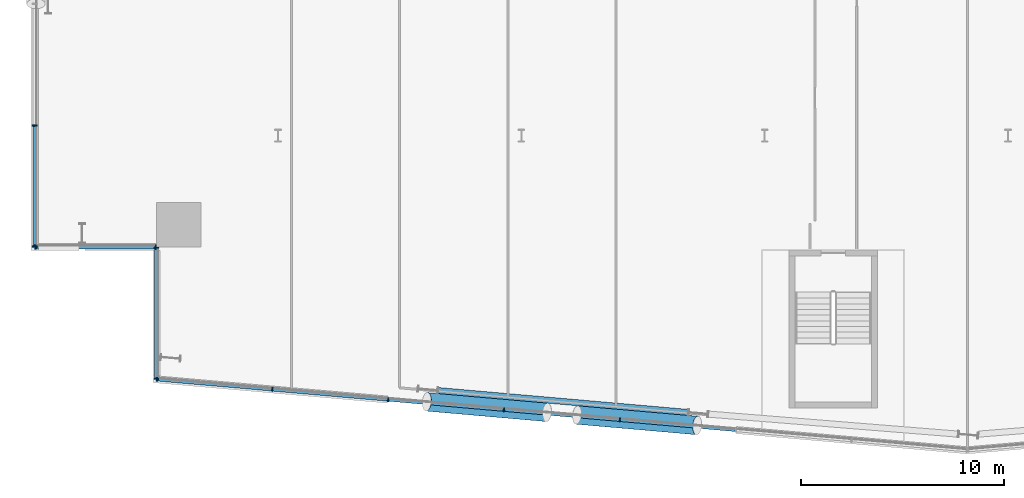
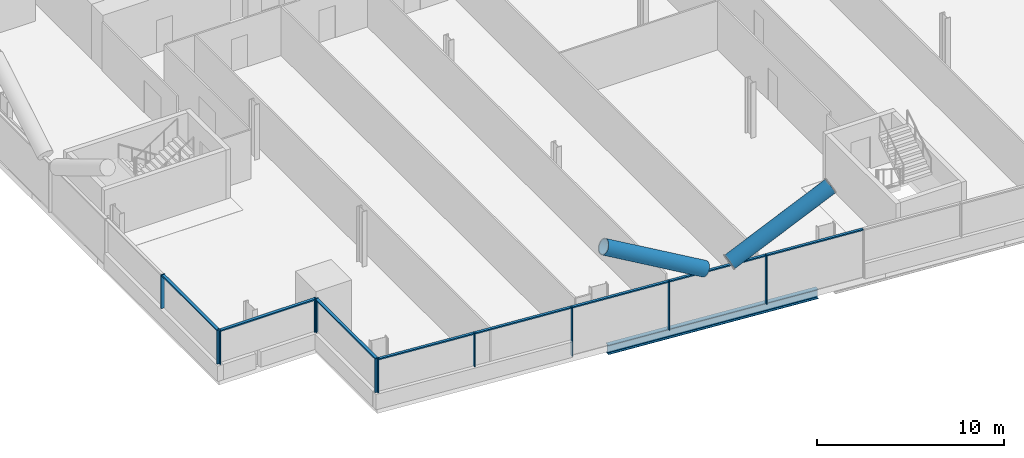
# One storey, part 4 of 25: 21 members, 1 beam, 4 elements without a shape of their own.
"""IFC4 building model written with IfcOpenShell, lengths in metres."""

from ifc_helpers import new_model, si_unit, direction, frame, origin, origin_2d, place, context, subcontext, project, spatial, rectangle, hollow_circle, i_section, extrude, material, material_profile, profile_set, type_object, element, aggregate, save


model = new_model("IFC4")

# Units and contexts
model_context = context("Model", 3, precision=1e-05, world=origin(), true_north=direction((0.0, 1.0)))
body_context = subcontext(model_context, "Body", "Model", "MODEL_VIEW")
ifc_project = project(units=[si_unit("LENGTHUNIT", "METRE"), si_unit("AREAUNIT", "SQUARE_METRE"), si_unit("VOLUMEUNIT", "CUBIC_METRE"), si_unit("PLANEANGLEUNIT", "RADIAN"), si_unit("MASSUNIT", "GRAM", prefix="KILO")], contexts=[model_context])

# Site, building, storey
site_placement = place(None, origin())
site = spatial("IfcSite", under=ifc_project, at=site_placement, CompositionType="ELEMENT")
building_placement = place(site_placement, origin())
building = spatial("IfcBuilding", under=site, at=building_placement, Name="Wharfspan Tower", CompositionType="ELEMENT")
storey_placement = place(building_placement, frame((0.0, 0.0, 63.100098)))
storey = spatial("IfcBuildingStorey", under=building, at=storey_placement, Name="L12", CompositionType="ELEMENT", Elevation=63.100098)

# Beam
ifc_material_1 = material(Name="Steel S355J2", Category="steel")
ifc_material_profile_1 = material_profile(ifc_material_1, i_section(OverallWidth=0.300049, OverallDepth=0.600098, WebThickness=0.015381, FlangeThickness=0.030029, FilletRadius=0.0271, at=origin_2d()))
ifc_profile_set_1 = profile_set([ifc_material_profile_1], Name="Steel S355J2")
beam_type = type_object("IfcBeamType", Name="Edge beam HEB 600", PredefinedType="SPANDREL", material=ifc_profile_set_1)
beam_placement = place(storey_placement, frame((19.888916, -1.077637, -0.700195), z_axis=(0.996195, -0.087154, 0.0), x_axis=(0.087154, 0.996195, 0.0)))
element("IfcBeam", 1, at=beam_placement, inside=storey, type_object=beam_type, Name="Edge beam S1 L12 PS1.2 to PS1.3", PredefinedType="SPANDREL", context=body_context, shape_type="SweptSolid", body=[
    extrude(i_section(OverallWidth=0.300049, OverallDepth=0.600098, WebThickness=0.015381, FlangeThickness=0.030029, FilletRadius=0.0271, at=origin_2d()), origin(), (0.0, 0.0, 1.0), 12.384277),
])

# Curtain wall, members
ifc_material_2 = material(Name="Aluminium 6063-T6", Category="aluminium")
curtain_wall_type_1 = type_object("IfcCurtainWallType", Name="CURTAIN WALL FACETED FRONT", PredefinedType="NOTDEFINED", material=ifc_material_2)
curtain_wall_1_placement = place(storey_placement, origin())
curtain_wall_1 = element("IfcCurtainWall", 2, at=curtain_wall_1_placement, inside=storey, type_object=curtain_wall_type_1, Name="Curtain wall S1", PredefinedType="NOTDEFINED")
ifc_material_profile_2 = material_profile(ifc_material_2, rectangle(XDim=0.199951, YDim=0.060059, at=origin_2d()))
ifc_profile_set_2 = profile_set([ifc_material_profile_2], Name="Aluminium 6063-T6")
member_type_1 = type_object("IfcMemberType", Name="MULLION FACETED FRONT 60x200", PredefinedType="MULLION", material=ifc_profile_set_2)
member_1_placement = place(storey_placement, frame((6.029785, -0.527588, 1.0), z_axis=(0.0, 0.0, 1.0), x_axis=(0.087156, 0.996197, 0.0)))
member_1 = element("IfcMember", 3, at=member_1_placement, type_object=member_type_1, Name="Curtain wall S1 mullion 1", PredefinedType="MULLION", context=body_context, shape_type="SweptSolid", body=[
    extrude(rectangle(XDim=0.199951, YDim=0.060059, at=origin_2d()), origin(), (0.0, 0.0, 1.0), 2.199951),
])
member_2_placement = place(storey_placement, frame((11.714355, -1.024902, 1.0), z_axis=(0.0, 0.0, 1.0), x_axis=(0.087156, 0.996197, 0.0)))
member_2 = element("IfcMember", 4, at=member_2_placement, type_object=member_type_1, Name="Curtain wall S1 mullion 2", PredefinedType="MULLION", context=body_context, shape_type="SweptSolid", body=[
    extrude(rectangle(XDim=0.199951, YDim=0.060059, at=origin_2d()), origin(), (0.0, 0.0, 1.0), 2.199951),
])
member_3_placement = place(storey_placement, frame((17.428467, -1.524902, 0.0), z_axis=(0.0, 0.0, 1.0), x_axis=(0.087156, 0.996197, 0.0)))
member_3 = element("IfcMember", 5, at=member_3_placement, type_object=member_type_1, Name="Curtain wall S1 mullion 3", PredefinedType="MULLION", context=body_context, shape_type="SweptSolid", body=[
    extrude(rectangle(XDim=0.199951, YDim=0.060059, at=origin_2d()), origin(), (0.0, 0.0, 1.0), 3.199951),
])
member_4_placement = place(storey_placement, frame((23.142822, -2.024658, 0.0), z_axis=(0.0, 0.0, 1.0), x_axis=(0.087156, 0.996197, 0.0)))
member_4 = element("IfcMember", 6, at=member_4_placement, type_object=member_type_1, Name="Curtain wall S1 mullion 4", PredefinedType="MULLION", context=body_context, shape_type="SweptSolid", body=[
    extrude(rectangle(XDim=0.199951, YDim=0.060059, at=origin_2d()), origin(), (0.0, 0.0, 1.0), 3.199951),
])
member_5_placement = place(storey_placement, frame((28.857178, -2.524658, 0.0), z_axis=(0.0, 0.0, 1.0), x_axis=(0.087156, 0.996197, 0.0)))
member_5 = element("IfcMember", 7, at=member_5_placement, type_object=member_type_1, Name="Curtain wall S1 mullion 5", PredefinedType="MULLION", context=body_context, shape_type="SweptSolid", body=[
    extrude(rectangle(XDim=0.199951, YDim=0.060059, at=origin_2d()), origin(), (0.0, 0.0, 1.0), 3.199951),
])

curtain_wall_type_2 = type_object("IfcCurtainWallType", Name="CURTAIN WALL PROW AND END", PredefinedType="NOTDEFINED", material=ifc_material_2)
curtain_wall_2_placement = place(storey_placement, origin())
curtain_wall_2 = element("IfcCurtainWall", 8, at=curtain_wall_2_placement, inside=storey, type_object=curtain_wall_type_2, Name="Curtain wall W", PredefinedType="NOTDEFINED")
ifc_material_profile_3 = material_profile(ifc_material_2, rectangle(XDim=0.23999, YDim=0.060059, at=origin_2d()))
ifc_profile_set_3 = profile_set([ifc_material_profile_3], Name="Aluminium 6063-T6")
member_type_2 = type_object("IfcMemberType", Name="MULLION PROW AND END 60x240", PredefinedType="MULLION", material=ifc_profile_set_3)
member_6_placement = place(storey_placement, frame((0.0, 12.0, 1.0), z_axis=(0.0, 0.0, 1.0), x_axis=(1.0, 0.0, 0.0)))
member_6 = element("IfcMember", 9, at=member_6_placement, type_object=member_type_2, Name="Curtain wall W mullion 6", PredefinedType="MULLION", context=body_context, shape_type="SweptSolid", body=[
    extrude(rectangle(XDim=0.23999, YDim=0.060059, at=origin_2d()), origin(), (0.0, 0.0, 1.0), 2.199951),
])
member_7_placement = place(storey_placement, frame((0.0, 6.030029, 1.0), z_axis=(0.0, 0.0, 1.0), x_axis=(1.0, 0.0, 0.0)))
member_7 = element("IfcMember", 10, at=member_7_placement, type_object=member_type_2, Name="Curtain wall W mullion 7", PredefinedType="MULLION", context=body_context, shape_type="SweptSolid", body=[
    extrude(rectangle(XDim=0.23999, YDim=0.060059, at=origin_2d()), origin(), (0.0, 0.0, 1.0), 2.199951),
])

curtain_wall_3_placement = place(storey_placement, origin())
curtain_wall_3 = element("IfcCurtainWall", 11, at=curtain_wall_3_placement, inside=storey, type_object=curtain_wall_type_2, Name="Curtain wall NFW-H", PredefinedType="NOTDEFINED")
member_8_placement = place(storey_placement, frame((0.030029, 6.0, 1.0), z_axis=(0.0, 0.0, 1.0), x_axis=(0.0, 1.0, 0.0)))
member_8 = element("IfcMember", 12, at=member_8_placement, type_object=member_type_2, Name="Curtain wall NFW-H mullion 1", PredefinedType="MULLION", context=body_context, shape_type="SweptSolid", body=[
    extrude(rectangle(XDim=0.23999, YDim=0.060059, at=origin_2d()), origin(), (0.0, 0.0, 1.0), 2.199951),
])
member_9_placement = place(storey_placement, frame((5.969971, 6.0, 1.0), z_axis=(0.0, 0.0, 1.0), x_axis=(0.0, 1.0, 0.0)))
member_9 = element("IfcMember", 13, at=member_9_placement, type_object=member_type_2, Name="Curtain wall NFW-H mullion 2", PredefinedType="MULLION", context=body_context, shape_type="SweptSolid", body=[
    extrude(rectangle(XDim=0.23999, YDim=0.060059, at=origin_2d()), origin(), (0.0, 0.0, 1.0), 2.199951),
])

curtain_wall_4_placement = place(storey_placement, origin())
curtain_wall_4 = element("IfcCurtainWall", 14, at=curtain_wall_4_placement, inside=storey, type_object=curtain_wall_type_2, Name="Curtain wall NFW-V", PredefinedType="NOTDEFINED")
member_10_placement = place(storey_placement, frame((6.0, 5.969971, 1.0), z_axis=(0.0, 0.0, 1.0), x_axis=(1.0, 0.0, 0.0)))
member_10 = element("IfcMember", 15, at=member_10_placement, type_object=member_type_2, Name="Curtain wall NFW-V mullion 1", PredefinedType="MULLION", context=body_context, shape_type="SweptSolid", body=[
    extrude(rectangle(XDim=0.23999, YDim=0.060059, at=origin_2d()), origin(), (0.0, 0.0, 1.0), 2.199951),
])
member_11_placement = place(storey_placement, frame((6.0, -0.494873, 1.0), z_axis=(0.0, 0.0, 1.0), x_axis=(1.0, 0.0, 0.0)))
member_11 = element("IfcMember", 16, at=member_11_placement, type_object=member_type_2, Name="Curtain wall NFW-V mullion 2", PredefinedType="MULLION", context=body_context, shape_type="SweptSolid", body=[
    extrude(rectangle(XDim=0.23999, YDim=0.060059, at=origin_2d()), origin(), (0.0, 0.0, 1.0), 2.199951),
])

# Members
ifc_material_3 = material(Name="Steel S460NH", Category="steel")
ifc_material_profile_4 = material_profile(ifc_material_3, hollow_circle(Radius=0.457031, WallThickness=0.040039, at=origin_2d()))
ifc_profile_set_4 = profile_set([ifc_material_profile_4], Name="Steel S460NH")
member_type_3 = type_object("IfcMemberType", Name="Mega brace CHS 914x40", PredefinedType="BRACE", material=ifc_profile_set_4)
for number, where, z_axis, x_axis, name in (
    (17, (26.746338, -2.284912, 3.300293), (0.877299, -0.076744, 0.473768), (0.087145, 0.996198, 0.0), "Mega brace S1 L12 part 2"),
    (18, (25.263184, -2.155029, 3.300293), (-0.877299, 0.076744, 0.473768), (-0.087145, -0.996198, 0.0), "Mega brace S1 L12 part 4"),
):
    element("IfcMember", number, at=place(storey_placement, frame(where, z_axis=z_axis, x_axis=x_axis)), inside=storey, type_object=member_type_3, Name=name, PredefinedType="BRACE", context=body_context, shape_type="SweptSolid", body=[
        extrude(hollow_circle(Radius=0.457031, WallThickness=0.040039, at=origin_2d()), origin(), (0.0, 0.0, 1.0), 6.753662),
    ])

# Member
ifc_material_profile_5 = material_profile(ifc_material_2, rectangle(XDim=0.159912, YDim=0.080078, at=origin_2d()))
ifc_profile_set_5 = profile_set([ifc_material_profile_5], Name="Aluminium 6063-T6")
member_type_4 = type_object("IfcMemberType", Name="TRANSOM FACETED FRONT 80x160", PredefinedType="USERDEFINED", material=ifc_profile_set_5)
member_12_placement = place(storey_placement, frame((6.059814, -0.530273, 3.159912), z_axis=(0.996197, -0.087132, 0.0), x_axis=(0.087132, 0.996197, 0.0)))
member_12 = element("IfcMember", 19, at=member_12_placement, type_object=member_type_4, Name="Curtain wall S1 transom 1", ObjectType="TRANSOM", PredefinedType="USERDEFINED", context=body_context, shape_type="SweptSolid", body=[
    extrude(rectangle(XDim=0.159912, YDim=0.080078, at=origin_2d()), origin(), (0.0, 0.0, 1.0), 5.645996),
])

member_13_placement = place(storey_placement, frame((11.744141, -1.027588, 3.159912), z_axis=(0.996196, -0.087142, 0.0), x_axis=(0.087142, 0.996196, 0.0)))
member_13 = element("IfcMember", 20, at=member_13_placement, type_object=member_type_4, Name="Curtain wall S1 transom 2", ObjectType="TRANSOM", PredefinedType="USERDEFINED", context=body_context, shape_type="SweptSolid", body=[
    extrude(rectangle(XDim=0.159912, YDim=0.080078, at=origin_2d()), origin(), (0.0, 0.0, 1.0), 5.676025),
])

member_14_placement = place(storey_placement, frame((17.458496, -1.527344, 3.159912), z_axis=(0.996192, -0.087185, 0.0), x_axis=(0.087185, 0.996192, 0.0)))
member_14 = element("IfcMember", 21, at=member_14_placement, type_object=member_type_4, Name="Curtain wall S1 transom 3", ObjectType="TRANSOM", PredefinedType="USERDEFINED", context=body_context, shape_type="SweptSolid", body=[
    extrude(rectangle(XDim=0.159912, YDim=0.080078, at=origin_2d()), origin(), (0.0, 0.0, 1.0), 5.67627),
])

member_15_placement = place(storey_placement, frame((23.172852, -2.027344, 3.159912), z_axis=(0.996196, -0.087146, 0.0), x_axis=(0.087146, 0.996196, 0.0)))
member_15 = element("IfcMember", 22, at=member_15_placement, type_object=member_type_4, Name="Curtain wall S1 transom 4", ObjectType="TRANSOM", PredefinedType="USERDEFINED", context=body_context, shape_type="SweptSolid", body=[
    extrude(rectangle(XDim=0.159912, YDim=0.080078, at=origin_2d()), origin(), (0.0, 0.0, 1.0), 5.675781),
])

member_16_placement = place(storey_placement, frame((28.886963, -2.527344, 3.159912), z_axis=(0.996196, -0.087142, 0.0), x_axis=(0.087142, 0.996196, 0.0)))
member_16 = element("IfcMember", 23, at=member_16_placement, type_object=member_type_4, Name="Curtain wall S1 transom 5", ObjectType="TRANSOM", PredefinedType="USERDEFINED", context=body_context, shape_type="SweptSolid", body=[
    extrude(rectangle(XDim=0.159912, YDim=0.080078, at=origin_2d()), origin(), (0.0, 0.0, 1.0), 5.676025),
])

aggregate(curtain_wall_1, [member_1, member_2, member_3, member_4, member_5, member_12, member_13, member_14, member_15, member_16])

ifc_material_profile_6 = material_profile(ifc_material_2, rectangle(XDim=0.179932, YDim=0.080078, at=origin_2d()))
ifc_profile_set_6 = profile_set([ifc_material_profile_6], Name="Aluminium 6063-T6")
member_type_5 = type_object("IfcMemberType", Name="TRANSOM PROW AND END 80x180", PredefinedType="USERDEFINED", material=ifc_profile_set_6)
member_17_placement = place(storey_placement, frame((0.0, 11.969971, 3.159912), z_axis=(0.0, -1.0, 0.0), x_axis=(1.0, 0.0, 0.0)))
member_17 = element("IfcMember", 24, at=member_17_placement, type_object=member_type_5, Name="Curtain wall W transom 6", ObjectType="TRANSOM", PredefinedType="USERDEFINED", context=body_context, shape_type="SweptSolid", body=[
    extrude(rectangle(XDim=0.179932, YDim=0.080078, at=origin_2d()), origin(), (0.0, 0.0, 1.0), 5.909912),
])

aggregate(curtain_wall_2, [member_6, member_7, member_17])

member_18_placement = place(storey_placement, frame((0.060059, 6.0, 3.159912), z_axis=(1.0, 0.0, 0.0), x_axis=(0.0, 1.0, 0.0)))
member_18 = element("IfcMember", 25, at=member_18_placement, type_object=member_type_5, Name="Curtain wall NFW-H transom 1", ObjectType="TRANSOM", PredefinedType="USERDEFINED", context=body_context, shape_type="SweptSolid", body=[
    extrude(rectangle(XDim=0.179932, YDim=0.080078, at=origin_2d()), origin(), (0.0, 0.0, 1.0), 5.879883),
])

aggregate(curtain_wall_3, [member_8, member_9, member_18])

member_19_placement = place(storey_placement, frame((6.0, 5.939941, 3.159912), z_axis=(0.0, -1.0, 0.0), x_axis=(1.0, 0.0, 0.0)))
member_19 = element("IfcMember", 26, at=member_19_placement, type_object=member_type_5, Name="Curtain wall NFW-V transom 1", ObjectType="TRANSOM", PredefinedType="USERDEFINED", context=body_context, shape_type="SweptSolid", body=[
    extrude(rectangle(XDim=0.179932, YDim=0.080078, at=origin_2d()), origin(), (0.0, 0.0, 1.0), 6.404785),
])

aggregate(curtain_wall_4, [member_10, member_11, member_19])

save(model, "model.ifc")
